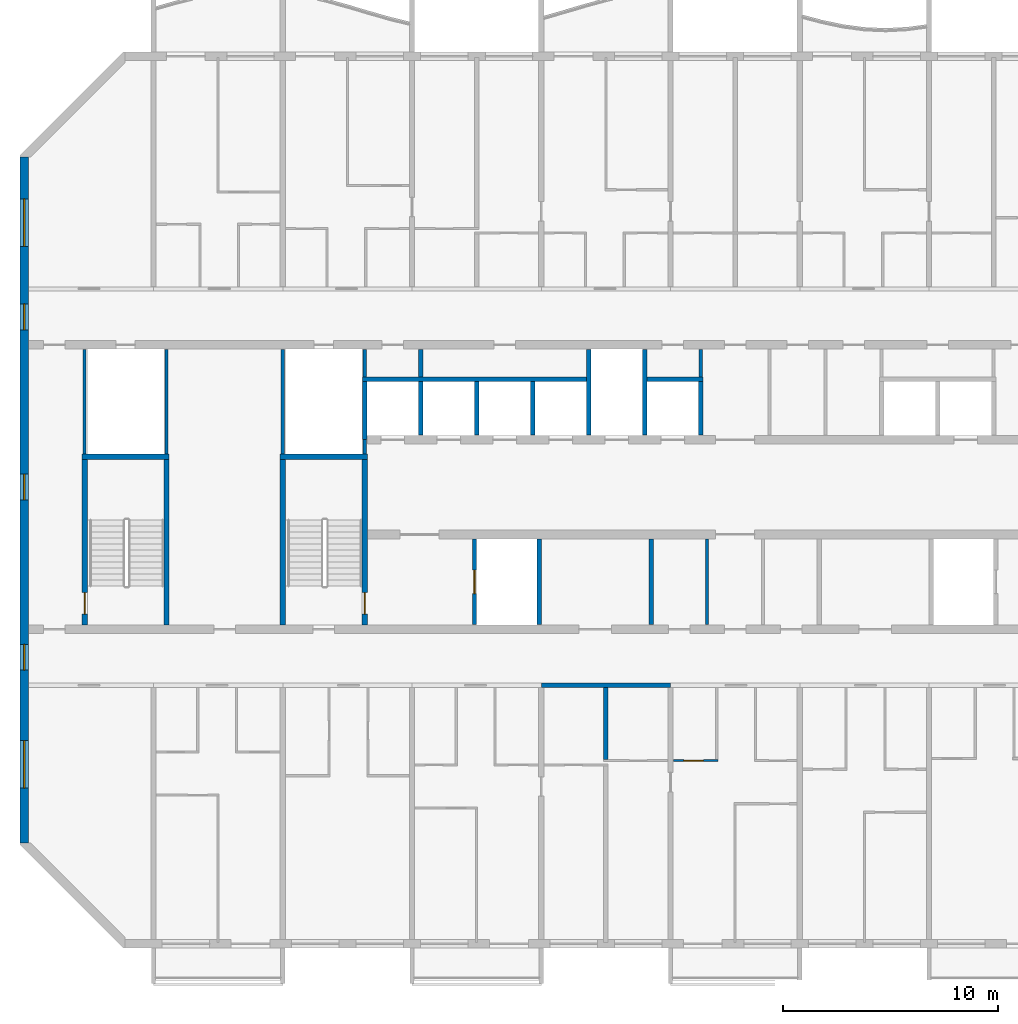
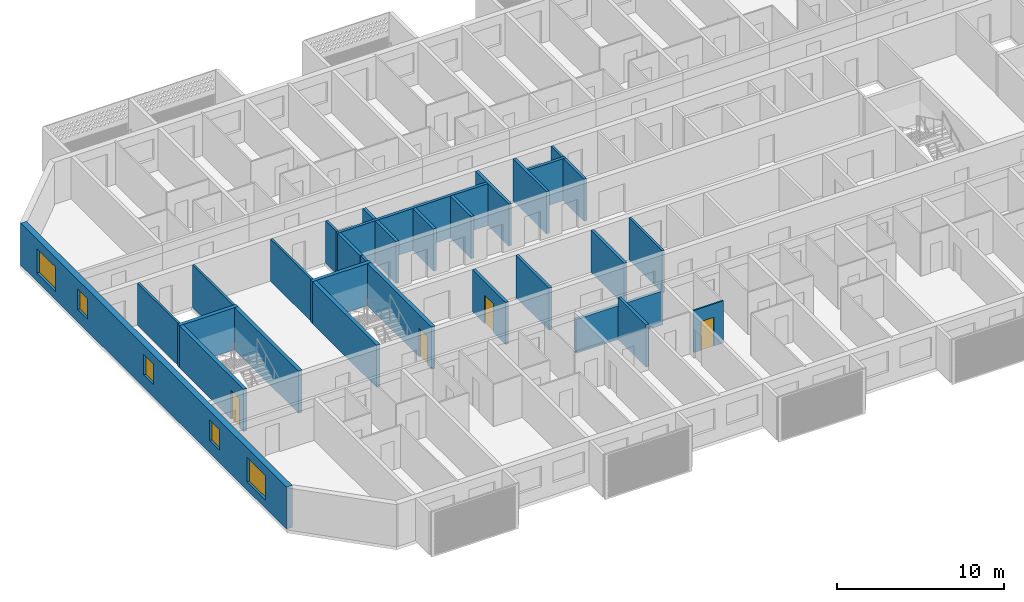
# One storey, part 3 of 27: 30 walls, 5 windows, 4 doors, 9 openings.
"""IFC4 building model written with IfcOpenShell, lengths in metres."""

from ifc_helpers import new_model, si_unit, direction, frame, frame_2d, origin, place, context, subcontext, project, spatial, rectangle, extrude, material, layer, layer_set, type_object, element, fill, save


model = new_model("IFC4")

# Units and contexts
model_context = context("Model", 3, precision=1e-05, world=origin(), true_north=direction((0.0, 1.0)))
body_context = subcontext(model_context, "Body", "Model", "MODEL_VIEW")
ifc_project = project(units=[si_unit("LENGTHUNIT", "METRE"), si_unit("AREAUNIT", "SQUARE_METRE"), si_unit("VOLUMEUNIT", "CUBIC_METRE"), si_unit("PLANEANGLEUNIT", "RADIAN"), si_unit("MASSUNIT", "GRAM", prefix="KILO")], contexts=[model_context])

# Site, building, storey
site_placement = place(None, origin())
site = spatial("IfcSite", under=ifc_project, at=site_placement, CompositionType="ELEMENT")
building_placement = place(site_placement, origin())
building = spatial("IfcBuilding", under=site, at=building_placement, Name="Poui Terraces", CompositionType="ELEMENT")
storey_placement = place(building_placement, frame((0.0, 0.0, 198.300048828125)))
storey = spatial("IfcBuildingStorey", under=building, at=storey_placement, Name="L55", CompositionType="ELEMENT", Elevation=198.300048828125)

# Walls
ifc_material_1 = material(Name="Fire-rated plasterboard wall")
ifc_layer_1 = layer(ifc_material_1, 0.14990234375)
ifc_layer_set_1 = layer_set([ifc_layer_1], Name="Fire-rated plasterboard wall")
wall_type_1 = type_object("IfcWallType", Name="CORRIDOR WALL 150", PredefinedType="PARTITIONING", material=ifc_layer_set_1)
wall_1_placement = place(storey_placement, frame((49.39990234375, 26.300048828125, 0.0), z_axis=(0.0, 0.0, 1.0), x_axis=(0.0, 1.0, 0.0)))
element("IfcWall", 1, at=wall_1_placement, inside=storey, type_object=wall_type_1, Name="CORRIDOR WALL 150", PredefinedType="PARTITIONING", context=body_context, shape_type="SweptSolid", body=[
    extrude(rectangle(XDim=1.2900390625, YDim=0.14990234375, at=frame_2d((0.64501953125, 0.0))), origin(), (0.0, 0.0, 1.0), 3.079833984375),
])
wall_2_placement = place(storey_placement, frame((49.699951171875, 14.81005859375, 0.0), z_axis=(0.0, 0.0, 1.0), x_axis=(0.0, 1.0, 0.0)))
element("IfcWall", 2, at=wall_2_placement, inside=storey, type_object=wall_type_1, Name="CORRIDOR WALL 150", PredefinedType="PARTITIONING", context=body_context, shape_type="SweptSolid", body=[
    extrude(rectangle(XDim=3.97998046875, YDim=0.14990234375, at=frame_2d((1.989990234375, 0.0))), origin(), (0.0, 0.0, 1.0), 3.079833984375),
])
ifc_material_2 = material(Name="Concrete 50 MPa", Category="concrete")
ifc_layer_2 = layer(ifc_material_2, 0.199951171875)
ifc_layer_set_2 = layer_set([ifc_layer_2], Name="Concrete 50 MPa")
wall_type_2 = type_object("IfcWallType", Name="CORRIDOR WALL 200 50MPa", PredefinedType="SHEAR", material=ifc_layer_set_2)
wall_3_placement = place(storey_placement, frame((42.0, 12.0, 0.0), z_axis=(0.0, 0.0, 1.0), x_axis=(1.0, 0.0, 0.0)))
element("IfcWall", 3, at=wall_3_placement, inside=storey, type_object=wall_type_2, Name="CORRIDOR WALL LINE B BAY 5", PredefinedType="SHEAR", context=body_context, shape_type="SweptSolid", body=[
    extrude(rectangle(XDim=6.0, YDim=0.199951171875, at=frame_2d((3.0, 0.0))), origin(), (0.0, 0.0, 1.0), 2.47998046875),
])

# Wall, openings, windows
ifc_layer_3 = layer(ifc_material_2, 0.39990234375)
ifc_layer_set_3 = layer_set([ifc_layer_3], Name="Concrete 50 MPa")
wall_type_3 = type_object("IfcWallType", Name="END WALL 400 50MPa", PredefinedType="SHEAR", material=ifc_layer_set_3)
wall_4_placement = place(storey_placement, frame((18.0, 4.682861328125, 0.0), z_axis=(0.0, 0.0, 1.0), x_axis=(0.0, 1.0, 0.0)))
wall_4 = element("IfcWall", 4, at=wall_4_placement, inside=storey, type_object=wall_type_3, Name="END WALL WEST", PredefinedType="SHEAR", context=body_context, shape_type="SweptSolid", body=[
    extrude(rectangle(XDim=31.834228515625, YDim=0.39990234375, at=frame_2d((15.9169921875, 0.0))), origin(), (0.0, 0.0, 1.0), 3.079833984375),
])
opening_1_placement = place(wall_4_placement, frame((23.817138671875, 0.0, 0.89990234375)))
opening_1 = element("IfcOpeningElement", 5, at=opening_1_placement, cuts=wall_4, Name="Opening W2", PredefinedType="OPENING", context=body_context, shape_type="SweptSolid", body=[
    extrude(rectangle(XDim=1.199951171875, YDim=1.5, at=frame_2d((0.60009765625, 0.75))), frame((0.0, 0.2099609375, 0.0), z_axis=(0.0, -1.0, 0.0), x_axis=(1.0, 0.0, 0.0)), (0.0, 0.0, 1.0), 0.419921875),
])
opening_2_placement = place(wall_4_placement, frame((8.01708984375, 0.0, 0.89990234375)))
opening_2 = element("IfcOpeningElement", 6, at=opening_2_placement, cuts=wall_4, Name="Opening W2", PredefinedType="OPENING", context=body_context, shape_type="SweptSolid", body=[
    extrude(rectangle(XDim=1.199951171875, YDim=1.5, at=frame_2d((0.60009765625, 0.75))), frame((0.0, 0.2099609375, 0.0), z_axis=(0.0, -1.0, 0.0), x_axis=(1.0, 0.0, 0.0)), (0.0, 0.0, 1.0), 0.419921875),
])
opening_3_placement = place(wall_4_placement, frame((27.693603515625, 0.0, 0.60009765625)))
opening_3 = element("IfcOpeningElement", 7, at=opening_3_placement, cuts=wall_4, Name="Opening W3", PredefinedType="OPENING", context=body_context, shape_type="SweptSolid", body=[
    extrude(rectangle(XDim=2.199951171875, YDim=1.800048828125, at=frame_2d((1.10009765625, 0.89990234375))), frame((0.0, 0.2099609375, 0.0), z_axis=(0.0, -1.0, 0.0), x_axis=(1.0, 0.0, 0.0)), (0.0, 0.0, 1.0), 0.419921875),
])
opening_4_placement = place(wall_4_placement, frame((2.541015625, 0.0, 0.60009765625)))
opening_4 = element("IfcOpeningElement", 8, at=opening_4_placement, cuts=wall_4, Name="Opening W3", PredefinedType="OPENING", context=body_context, shape_type="SweptSolid", body=[
    extrude(rectangle(XDim=2.199951171875, YDim=1.800048828125, at=frame_2d((1.10009765625, 0.89990234375))), frame((0.0, 0.2099609375, 0.0), z_axis=(0.0, -1.0, 0.0), x_axis=(1.0, 0.0, 0.0)), (0.0, 0.0, 1.0), 0.419921875),
])
opening_5_placement = place(wall_4_placement, frame((15.917236328125, 0.0, 0.89990234375)))
opening_5 = element("IfcOpeningElement", 9, at=opening_5_placement, cuts=wall_4, Name="Opening W2", PredefinedType="OPENING", context=body_context, shape_type="SweptSolid", body=[
    extrude(rectangle(XDim=1.199951171875, YDim=1.5, at=frame_2d((0.60009765625, 0.75))), frame((0.0, 0.2099609375, 0.0), z_axis=(0.0, -1.0, 0.0), x_axis=(1.0, 0.0, 0.0)), (0.0, 0.0, 1.0), 0.419921875),
])
ifc_material_3 = material(Name="Clear glass in aluminium frame", Category="aluminium")
window_type_1 = type_object("IfcWindowType", Name="WINDOW 1200X1500", PartitioningType="SINGLE_PANEL", PredefinedType="WINDOW", material=ifc_material_3)
window_1_placement = place(opening_1_placement, origin())
window_1 = element("IfcWindow", 10, at=window_1_placement, inside=storey, type_object=window_type_1, Name="W2 WINDOW", OverallHeight=1.5, OverallWidth=1.199951171875, PartitioningType="SINGLE_PANEL", PredefinedType="WINDOW", context=body_context, shape_type="SweptSolid", body=[
    extrude(rectangle(XDim=1.199951171875, YDim=1.5, at=frame_2d((0.60009765625, 0.75))), frame((0.0, 0.030029296875, 0.0), z_axis=(0.0, -1.0, 0.0), x_axis=(1.0, 0.0, 0.0)), (0.0, 0.0, 1.0), 0.06005859375),
])
fill(opening_1, window_1)
window_2_placement = place(opening_2_placement, origin())
window_2 = element("IfcWindow", 11, at=window_2_placement, inside=storey, type_object=window_type_1, Name="W2 WINDOW", OverallHeight=1.5, OverallWidth=1.199951171875, PartitioningType="SINGLE_PANEL", PredefinedType="WINDOW", context=body_context, shape_type="SweptSolid", body=[
    extrude(rectangle(XDim=1.199951171875, YDim=1.5, at=frame_2d((0.60009765625, 0.75))), frame((0.0, 0.030029296875, 0.0), z_axis=(0.0, -1.0, 0.0), x_axis=(1.0, 0.0, 0.0)), (0.0, 0.0, 1.0), 0.06005859375),
])
fill(opening_2, window_2)
window_3_placement = place(opening_5_placement, origin())
window_3 = element("IfcWindow", 12, at=window_3_placement, inside=storey, type_object=window_type_1, Name="W2 WINDOW", OverallHeight=1.5, OverallWidth=1.199951171875, PartitioningType="SINGLE_PANEL", PredefinedType="WINDOW", context=body_context, shape_type="SweptSolid", body=[
    extrude(rectangle(XDim=1.199951171875, YDim=1.5, at=frame_2d((0.60009765625, 0.75))), frame((0.0, 0.030029296875, 0.0), z_axis=(0.0, -1.0, 0.0), x_axis=(1.0, 0.0, 0.0)), (0.0, 0.0, 1.0), 0.06005859375),
])
fill(opening_5, window_3)
window_type_2 = type_object("IfcWindowType", Name="WINDOW 2200X1800", PartitioningType="DOUBLE_PANEL_HORIZONTAL", PredefinedType="WINDOW", material=ifc_material_3)
window_4_placement = place(opening_3_placement, origin())
window_4 = element("IfcWindow", 13, at=window_4_placement, inside=storey, type_object=window_type_2, Name="W3 WINDOW", OverallHeight=1.800048828125, OverallWidth=2.199951171875, PartitioningType="DOUBLE_PANEL_HORIZONTAL", PredefinedType="WINDOW", context=body_context, shape_type="SweptSolid", body=[
    extrude(rectangle(XDim=2.199951171875, YDim=1.800048828125, at=frame_2d((1.10009765625, 0.89990234375))), frame((0.0, 0.030029296875, 0.0), z_axis=(0.0, -1.0, 0.0), x_axis=(1.0, 0.0, 0.0)), (0.0, 0.0, 1.0), 0.06005859375),
])
fill(opening_3, window_4)
window_5_placement = place(opening_4_placement, origin())
window_5 = element("IfcWindow", 14, at=window_5_placement, inside=storey, type_object=window_type_2, Name="W3 WINDOW", OverallHeight=1.800048828125, OverallWidth=2.199951171875, PartitioningType="DOUBLE_PANEL_HORIZONTAL", PredefinedType="WINDOW", context=body_context, shape_type="SweptSolid", body=[
    extrude(rectangle(XDim=2.199951171875, YDim=1.800048828125, at=frame_2d((1.10009765625, 0.89990234375))), frame((0.0, 0.030029296875, 0.0), z_axis=(0.0, -1.0, 0.0), x_axis=(1.0, 0.0, 0.0)), (0.0, 0.0, 1.0), 0.06005859375),
])
fill(opening_4, window_5)

# Wall, opening, door
ifc_material_4 = material(Name="Plasterboard partition")
ifc_layer_4 = layer(ifc_material_4, 0.10009765625)
ifc_layer_set_4 = layer_set([ifc_layer_4], Name="Plasterboard partition")
wall_type_4 = type_object("IfcWallType", Name="FLAT PARTITION 100", PredefinedType="PARTITIONING", material=ifc_layer_set_4)
wall_5_placement = place(storey_placement, frame((48.135009765625, 8.5, 0.0), z_axis=(0.0, 0.0, 1.0), x_axis=(1.0, 0.0, 0.0)))
wall_5 = element("IfcWall", 15, at=wall_5_placement, inside=storey, type_object=wall_type_4, Name="FLAT PARTITION 100", PredefinedType="PARTITIONING", context=body_context, shape_type="SweptSolid", body=[
    extrude(rectangle(XDim=2.06494140625, YDim=0.10009765625, at=frame_2d((1.032470703125, 0.0))), origin(), (0.0, 0.0, 1.0), 3.079833984375),
])
opening_6_placement = place(wall_5_placement, frame((0.489990234375, 0.0, 0.0)))
opening_6 = element("IfcOpeningElement", 16, at=opening_6_placement, cuts=wall_5, Name="Opening D90", PredefinedType="OPENING", context=body_context, shape_type="SweptSolid", body=[
    extrude(rectangle(XDim=0.89990234375, YDim=2.10009765625, at=frame_2d((0.449951171875, 1.050048828125))), frame((0.0, 0.06005859375, 0.0), z_axis=(0.0, -1.0, 0.0), x_axis=(1.0, 0.0, 0.0)), (0.0, 0.0, 1.0), 0.1201171875),
])
ifc_material_5 = material(Name="Solid core timber door", Category="wood")
door_type_1 = type_object("IfcDoorType", Name="INTERNAL DOOR 900 X 2100", OperationType="NOTDEFINED", PredefinedType="DOOR", material=ifc_material_5)
door_1_placement = place(opening_6_placement, origin())
door_1 = element("IfcDoor", 17, at=door_1_placement, inside=storey, type_object=door_type_1, Name="INTERNAL DOOR 079", OperationType="SINGLE_SWING_LEFT", OverallHeight=2.10009765625, OverallWidth=0.89990234375, PredefinedType="DOOR", context=body_context, shape_type="SweptSolid", body=[
    extrude(rectangle(XDim=0.89990234375, YDim=2.10009765625, at=frame_2d((0.449951171875, 1.050048828125))), frame((0.0, 0.02490234375, 0.0), z_axis=(0.0, -1.0, 0.0), x_axis=(1.0, 0.0, 0.0)), (0.0, 0.0, 1.0), 0.050048828125),
])
fill(opening_6, door_1)

# Walls
ifc_material_6 = material(Name="Fire-rated masonry wall", Category="masonry")
ifc_layer_5 = layer(ifc_material_6, 0.199951171875)
ifc_layer_set_5 = layer_set([ifc_layer_5], Name="Fire-rated masonry wall")
wall_type_5 = type_object("IfcWallType", Name="FLAT PARTY WALL 200", PredefinedType="PARTITIONING", material=ifc_layer_set_5)
wall_6_placement = place(storey_placement, frame((45.0, 8.550048828125, 0.0), z_axis=(0.0, 0.0, 1.0), x_axis=(0.0, 1.0, 0.0)))
element("IfcWall", 18, at=wall_6_placement, inside=storey, type_object=wall_type_5, Name="FLAT PARTY WALL 200", PredefinedType="PARTITIONING", context=body_context, shape_type="SweptSolid", body=[
    extrude(rectangle(XDim=3.33984375, YDim=0.199951171875, at=frame_2d((1.669921875, 0.0))), origin(), (0.0, 0.0, 1.0), 3.079833984375),
])
ifc_layer_6 = layer(ifc_material_6, 0.199951171875)
ifc_layer_set_6 = layer_set([ifc_layer_6], Name="Fire-rated masonry wall")
wall_type_6 = type_object("IfcWallType", Name="PLANT ROOM WALL 200", PredefinedType="PARTITIONING", material=ifc_layer_set_6)
wall_7_placement = place(storey_placement, frame((36.39990234375, 26.300048828125, 0.0), z_axis=(0.0, 0.0, 1.0), x_axis=(0.0, 1.0, 0.0)))
element("IfcWall", 19, at=wall_7_placement, inside=storey, type_object=wall_type_6, Name="PLANT ROOM WALL 200", PredefinedType="PARTITIONING", context=body_context, shape_type="SweptSolid", body=[
    extrude(rectangle(XDim=1.2900390625, YDim=0.199951171875, at=frame_2d((0.64501953125, 0.0))), origin(), (0.0, 0.0, 1.0), 3.079833984375),
])
wall_8_placement = place(storey_placement, frame((47.10009765625, 14.81005859375, 0.0), z_axis=(0.0, 0.0, 1.0), x_axis=(0.0, 1.0, 0.0)))
element("IfcWall", 20, at=wall_8_placement, inside=storey, type_object=wall_type_6, Name="PLANT ROOM WALL 200", PredefinedType="PARTITIONING", context=body_context, shape_type="SweptSolid", body=[
    extrude(rectangle(XDim=3.97998046875, YDim=0.199951171875, at=frame_2d((1.989990234375, 0.0))), origin(), (0.0, 0.0, 1.0), 3.079833984375),
])
ifc_material_7 = material(Name="Fire-rated plasterboard riser wall")
ifc_layer_7 = layer(ifc_material_7, 0.14990234375)
ifc_layer_set_7 = layer_set([ifc_layer_7], Name="Fire-rated plasterboard riser wall")
wall_type_7 = type_object("IfcWallType", Name="RISER WALL 150", PredefinedType="PARTITIONING", material=ifc_layer_set_7)
for number, where, z_axis, x_axis, name in (
    (21, (20.800048828125, 22.735107421875, 0.0), (0.0, 0.0, 1.0), (0.0, 1.0, 0.0), "RISER WALL 150"),
    (22, (24.60009765625, 22.735107421875, 0.0), (0.0, 0.0, 1.0), (0.0, 1.0, 0.0), "RISER WALL 150"),
    (23, (30.0, 22.735107421875, 0.0), (0.0, 0.0, 1.0), (0.0, 1.0, 0.0), "RISER WALL 150"),
):
    element("IfcWall", number, at=place(storey_placement, frame(where, z_axis=z_axis, x_axis=x_axis)), inside=storey, type_object=wall_type_7, Name=name, PredefinedType="PARTITIONING", context=body_context, shape_type="SweptSolid", body=[
        extrude(rectangle(XDim=4.85498046875, YDim=0.14990234375, at=frame_2d((2.427490234375, 0.0))), origin(), (0.0, 0.0, 1.0), 3.079833984375),
    ])
wall_9_placement = place(storey_placement, frame((33.800048828125, 22.735107421875, 0.0), z_axis=(0.0, 0.0, 1.0), x_axis=(0.0, 1.0, 0.0)))
element("IfcWall", 24, at=wall_9_placement, inside=storey, type_object=wall_type_7, Name="RISER WALL 150", PredefinedType="PARTITIONING", context=body_context, shape_type="SweptSolid", body=[
    extrude(rectangle(XDim=0.664794921875, YDim=0.14990234375, at=frame_2d((0.33251953125, 0.0))), origin(), (0.0, 0.0, 1.0), 3.079833984375),
])
wall_10_placement = place(storey_placement, frame((33.800048828125, 26.300048828125, 0.0), z_axis=(0.0, 0.0, 1.0), x_axis=(0.0, 1.0, 0.0)))
element("IfcWall", 25, at=wall_10_placement, inside=storey, type_object=wall_type_7, Name="RISER WALL 150", PredefinedType="PARTITIONING", context=body_context, shape_type="SweptSolid", body=[
    extrude(rectangle(XDim=1.2900390625, YDim=0.14990234375, at=frame_2d((0.64501953125, 0.0))), origin(), (0.0, 0.0, 1.0), 3.079833984375),
])
ifc_material_8 = material(Name="Fire-rated masonry shaft wall", Category="masonry")
ifc_layer_8 = layer(ifc_material_8, 0.199951171875)
ifc_layer_set_8 = layer_set([ifc_layer_8], Name="Fire-rated masonry shaft wall")
wall_type_8 = type_object("IfcWallType", Name="SHAFT WALL 200", PredefinedType="PARTITIONING", material=ifc_layer_set_8)
wall_11_placement = place(storey_placement, frame((33.699951171875, 26.199951171875, 0.0), z_axis=(0.0, 0.0, 1.0), x_axis=(1.0, 0.0, 0.0)))
element("IfcWall", 26, at=wall_11_placement, inside=storey, type_object=wall_type_8, Name="SHAFT WALL 200", PredefinedType="PARTITIONING", context=body_context, shape_type="SweptSolid", body=[
    extrude(rectangle(XDim=10.400146484375, YDim=0.199951171875, at=frame_2d((5.2001953125, 0.0))), origin(), (0.0, 0.0, 1.0), 3.079833984375),
])
wall_12_placement = place(storey_placement, frame((46.89990234375, 26.199951171875, 0.0), z_axis=(0.0, 0.0, 1.0), x_axis=(1.0, 0.0, 0.0)))
element("IfcWall", 27, at=wall_12_placement, inside=storey, type_object=wall_type_8, Name="SHAFT WALL 200", PredefinedType="PARTITIONING", context=body_context, shape_type="SweptSolid", body=[
    extrude(rectangle(XDim=2.60009765625, YDim=0.199951171875, at=frame_2d((1.300048828125, 0.0))), origin(), (0.0, 0.0, 1.0), 3.079833984375),
])
wall_13_placement = place(storey_placement, frame((33.800048828125, 23.39990234375, 0.0), z_axis=(0.0, 0.0, 1.0), x_axis=(0.0, 1.0, 0.0)))
element("IfcWall", 28, at=wall_13_placement, inside=storey, type_object=wall_type_8, Name="SHAFT WALL 200", PredefinedType="PARTITIONING", context=body_context, shape_type="SweptSolid", body=[
    extrude(rectangle(XDim=2.7001953125, YDim=0.199951171875, at=frame_2d((1.35009765625, 0.0))), origin(), (0.0, 0.0, 1.0), 3.079833984375),
])
wall_14_placement = place(storey_placement, frame((36.39990234375, 23.610107421875, 0.0), z_axis=(0.0, 0.0, 1.0), x_axis=(0.0, 1.0, 0.0)))
element("IfcWall", 29, at=wall_14_placement, inside=storey, type_object=wall_type_8, Name="SHAFT WALL 200", PredefinedType="PARTITIONING", context=body_context, shape_type="SweptSolid", body=[
    extrude(rectangle(XDim=2.489990234375, YDim=0.199951171875, at=frame_2d((1.2451171875, 0.0))), origin(), (0.0, 0.0, 1.0), 3.079833984375),
])

# Wall, opening, door
wall_15_placement = place(storey_placement, frame((38.89990234375, 14.81005859375, 0.0), z_axis=(0.0, 0.0, 1.0), x_axis=(0.0, 1.0, 0.0)))
wall_15 = element("IfcWall", 30, at=wall_15_placement, inside=storey, type_object=wall_type_8, Name="SHAFT WALL 200", PredefinedType="PARTITIONING", context=body_context, shape_type="SweptSolid", body=[
    extrude(rectangle(XDim=3.97998046875, YDim=0.199951171875, at=frame_2d((1.989990234375, 0.0))), origin(), (0.0, 0.0, 1.0), 3.079833984375),
])
opening_7_placement = place(wall_15_placement, frame((1.43994140625, 0.0, 0.0)))
opening_7 = element("IfcOpeningElement", 31, at=opening_7_placement, cuts=wall_15, Name="Opening LD", PredefinedType="OPENING", context=body_context, shape_type="SweptSolid", body=[
    extrude(rectangle(XDim=1.10009765625, YDim=2.10009765625, at=frame_2d((0.550048828125, 1.050048828125))), frame((0.0, 0.10986328125, 0.0), z_axis=(0.0, -1.0, 0.0), x_axis=(1.0, 0.0, 0.0)), (0.0, 0.0, 1.0), 0.219970703125),
])
ifc_material_9 = material(Name="Stainless steel sliding door", Category="steel")
door_type_2 = type_object("IfcDoorType", Name="LIFT LANDING DOOR 1100 X 2100", OperationType="DOUBLE_DOOR_SLIDING", PredefinedType="DOOR", material=ifc_material_9)
door_2_placement = place(opening_7_placement, origin())
door_2 = element("IfcDoor", 32, at=door_2_placement, inside=storey, type_object=door_type_2, Name="LANDING DOOR", OperationType="DOUBLE_DOOR_SLIDING", OverallHeight=2.10009765625, OverallWidth=1.10009765625, PredefinedType="DOOR", context=body_context, shape_type="SweptSolid", body=[
    extrude(rectangle(XDim=1.10009765625, YDim=2.10009765625, at=frame_2d((0.550048828125, 1.050048828125))), frame((0.0, 0.02490234375, 0.0), z_axis=(0.0, -1.0, 0.0), x_axis=(1.0, 0.0, 0.0)), (0.0, 0.0, 1.0), 0.050048828125),
])
fill(opening_7, door_2)

# Walls
for number, where, z_axis, x_axis, name in (
    (33, (39.0, 23.610107421875, 0.0), (0.0, 0.0, 1.0), (0.0, 1.0, 0.0), "SHAFT WALL 200"),
    (34, (41.60009765625, 23.610107421875, 0.0), (0.0, 0.0, 1.0), (0.0, 1.0, 0.0), "SHAFT WALL 200"),
):
    element("IfcWall", number, at=place(storey_placement, frame(where, z_axis=z_axis, x_axis=x_axis)), inside=storey, type_object=wall_type_8, Name=name, PredefinedType="PARTITIONING", context=body_context, shape_type="SweptSolid", body=[
        extrude(rectangle(XDim=2.489990234375, YDim=0.199951171875, at=frame_2d((1.2451171875, 0.0))), origin(), (0.0, 0.0, 1.0), 3.079833984375),
    ])
for number, where, z_axis, x_axis, name in (
    (35, (41.89990234375, 14.81005859375, 0.0), (0.0, 0.0, 1.0), (0.0, 1.0, 0.0), "SHAFT WALL 200"),
    (36, (44.199951171875, 23.610107421875, 0.0), (0.0, 0.0, 1.0), (0.0, 1.0, 0.0), "SHAFT WALL 200"),
    (37, (46.800048828125, 23.610107421875, 0.0), (0.0, 0.0, 1.0), (0.0, 1.0, 0.0), "SHAFT WALL 200"),
):
    element("IfcWall", number, at=place(storey_placement, frame(where, z_axis=z_axis, x_axis=x_axis)), inside=storey, type_object=wall_type_8, Name=name, PredefinedType="PARTITIONING", context=body_context, shape_type="SweptSolid", body=[
        extrude(rectangle(XDim=3.97998046875, YDim=0.199951171875, at=frame_2d((1.989990234375, 0.0))), origin(), (0.0, 0.0, 1.0), 3.079833984375),
    ])
wall_16_placement = place(storey_placement, frame((49.39990234375, 23.610107421875, 0.0), z_axis=(0.0, 0.0, 1.0), x_axis=(0.0, 1.0, 0.0)))
element("IfcWall", 38, at=wall_16_placement, inside=storey, type_object=wall_type_8, Name="SHAFT WALL 200", PredefinedType="PARTITIONING", context=body_context, shape_type="SweptSolid", body=[
    extrude(rectangle(XDim=2.489990234375, YDim=0.199951171875, at=frame_2d((1.2451171875, 0.0))), origin(), (0.0, 0.0, 1.0), 3.079833984375),
])
ifc_layer_9 = layer(ifc_material_2, 0.25)
ifc_layer_set_9 = layer_set([ifc_layer_9], Name="Concrete 50 MPa")
wall_type_9 = type_object("IfcWallType", Name="STAIR CORE WALL 250 50 MPA", PredefinedType="SOLIDWALL", material=ifc_layer_set_9)
wall_17_placement = place(storey_placement, frame((30.0, 14.800048828125, 0.0), z_axis=(0.0, 0.0, 1.0), x_axis=(0.0, 1.0, 0.0)))
element("IfcWall", 39, at=wall_17_placement, inside=storey, type_object=wall_type_9, Name="STAIR CORE WALL", PredefinedType="SOLIDWALL", context=body_context, shape_type="SweptSolid", body=[
    extrude(rectangle(XDim=7.675048828125, YDim=0.25, at=frame_2d((3.83740234375, 0.0))), origin(), (0.0, 0.0, 1.0), 3.079833984375),
])

# Wall, opening, door
wall_18_placement = place(storey_placement, frame((33.800048828125, 14.800048828125, 0.0), z_axis=(0.0, 0.0, 1.0), x_axis=(0.0, 1.0, 0.0)))
wall_18 = element("IfcWall", 40, at=wall_18_placement, inside=storey, type_object=wall_type_9, Name="STAIR CORE WALL", PredefinedType="SOLIDWALL", context=body_context, shape_type="SweptSolid", body=[
    extrude(rectangle(XDim=7.675048828125, YDim=0.25, at=frame_2d((3.83740234375, 0.0))), origin(), (0.0, 0.0, 1.0), 3.079833984375),
])
opening_8_placement = place(wall_18_placement, frame((0.5, 0.0, 0.0)))
opening_8 = element("IfcOpeningElement", 41, at=opening_8_placement, cuts=wall_18, Name="Opening FD60S", PredefinedType="OPENING", context=body_context, shape_type="SweptSolid", body=[
    extrude(rectangle(XDim=1.0, YDim=2.10009765625, at=frame_2d((0.5, 1.050048828125))), frame((0.0, 0.135009765625, 0.0), z_axis=(0.0, -1.0, 0.0), x_axis=(1.0, 0.0, 0.0)), (0.0, 0.0, 1.0), 0.27001953125),
])
ifc_material_10 = material(Name="Steel fire door", Category="steel")
door_type_3 = type_object("IfcDoorType", Name="STAIR DOOR 1000 X 2100", OperationType="NOTDEFINED", PredefinedType="DOOR", material=ifc_material_10)
door_3_placement = place(opening_8_placement, origin())
door_3 = element("IfcDoor", 42, at=door_3_placement, inside=storey, type_object=door_type_3, Name="STAIR DOOR 101", OperationType="SINGLE_SWING_LEFT", OverallHeight=2.10009765625, OverallWidth=1.0, PredefinedType="DOOR", context=body_context, shape_type="SweptSolid", body=[
    extrude(rectangle(XDim=1.0, YDim=2.10009765625, at=frame_2d((0.5, 1.050048828125))), frame((0.0, 0.02490234375, 0.0), z_axis=(0.0, -1.0, 0.0), x_axis=(1.0, 0.0, 0.0)), (0.0, 0.0, 1.0), 0.050048828125),
])
fill(opening_8, door_3)

# Wall
wall_19_placement = place(storey_placement, frame((29.875, 22.60009765625, 0.0), z_axis=(0.0, 0.0, 1.0), x_axis=(1.0, 0.0, 0.0)))
element("IfcWall", 43, at=wall_19_placement, inside=storey, type_object=wall_type_9, Name="STAIR CORE WALL", PredefinedType="SOLIDWALL", context=body_context, shape_type="SweptSolid", body=[
    extrude(rectangle(XDim=4.050048828125, YDim=0.25, at=frame_2d((2.02490234375, 0.0))), origin(), (0.0, 0.0, 1.0), 3.079833984375),
])

# Wall, opening, door
wall_20_placement = place(storey_placement, frame((20.800048828125, 14.800048828125, 0.0), z_axis=(0.0, 0.0, 1.0), x_axis=(0.0, 1.0, 0.0)))
wall_20 = element("IfcWall", 44, at=wall_20_placement, inside=storey, type_object=wall_type_9, Name="STAIR CORE WALL", PredefinedType="SOLIDWALL", context=body_context, shape_type="SweptSolid", body=[
    extrude(rectangle(XDim=7.675048828125, YDim=0.25, at=frame_2d((3.83740234375, 0.0))), origin(), (0.0, 0.0, 1.0), 3.079833984375),
])
opening_9_placement = place(wall_20_placement, frame((0.5, 0.0, 0.0)))
opening_9 = element("IfcOpeningElement", 45, at=opening_9_placement, cuts=wall_20, Name="Opening FD60S", PredefinedType="OPENING", context=body_context, shape_type="SweptSolid", body=[
    extrude(rectangle(XDim=1.0, YDim=2.10009765625, at=frame_2d((0.5, 1.050048828125))), frame((0.0, 0.135009765625, 0.0), z_axis=(0.0, -1.0, 0.0), x_axis=(1.0, 0.0, 0.0)), (0.0, 0.0, 1.0), 0.27001953125),
])
door_4_placement = place(opening_9_placement, frame((1.0, 0.0, 0.0), z_axis=(0.0, 0.0, 1.0), x_axis=(-1.0, 0.0, 0.0)))
door_4 = element("IfcDoor", 46, at=door_4_placement, inside=storey, type_object=door_type_3, Name="STAIR DOOR 115", OperationType="SINGLE_SWING_RIGHT", OverallHeight=2.10009765625, OverallWidth=1.0, PredefinedType="DOOR", context=body_context, shape_type="SweptSolid", body=[
    extrude(rectangle(XDim=1.0, YDim=2.10009765625, at=frame_2d((0.5, 1.050048828125))), frame((0.0, 0.02490234375, 0.0), z_axis=(0.0, -1.0, 0.0), x_axis=(1.0, 0.0, 0.0)), (0.0, 0.0, 1.0), 0.050048828125),
])
fill(opening_9, door_4)

# Walls
wall_21_placement = place(storey_placement, frame((24.60009765625, 14.800048828125, 0.0), z_axis=(0.0, 0.0, 1.0), x_axis=(0.0, 1.0, 0.0)))
element("IfcWall", 47, at=wall_21_placement, inside=storey, type_object=wall_type_9, Name="STAIR CORE WALL", PredefinedType="SOLIDWALL", context=body_context, shape_type="SweptSolid", body=[
    extrude(rectangle(XDim=7.675048828125, YDim=0.25, at=frame_2d((3.83740234375, 0.0))), origin(), (0.0, 0.0, 1.0), 3.079833984375),
])
wall_22_placement = place(storey_placement, frame((20.675048828125, 22.60009765625, 0.0), z_axis=(0.0, 0.0, 1.0), x_axis=(1.0, 0.0, 0.0)))
element("IfcWall", 48, at=wall_22_placement, inside=storey, type_object=wall_type_9, Name="STAIR CORE WALL", PredefinedType="SOLIDWALL", context=body_context, shape_type="SweptSolid", body=[
    extrude(rectangle(XDim=4.050048828125, YDim=0.25, at=frame_2d((2.02490234375, 0.0))), origin(), (0.0, 0.0, 1.0), 3.079833984375),
])

save(model, "model.ifc")
